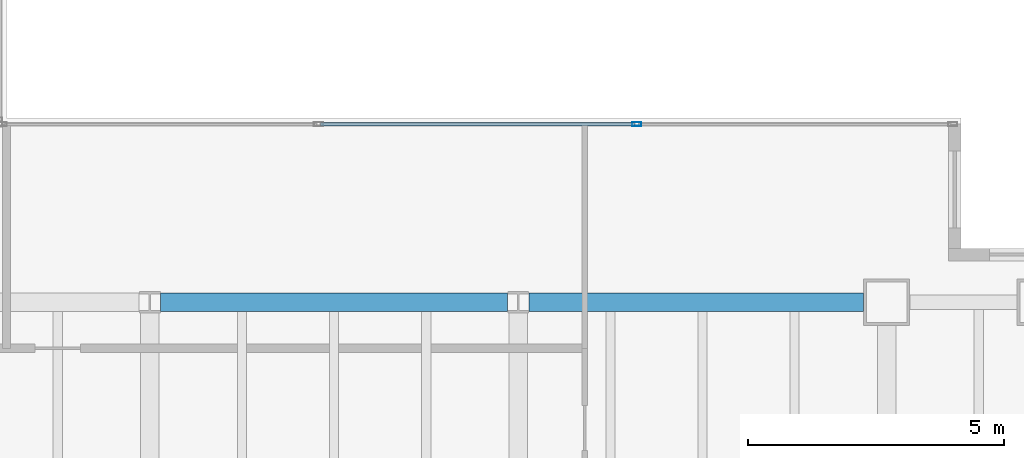
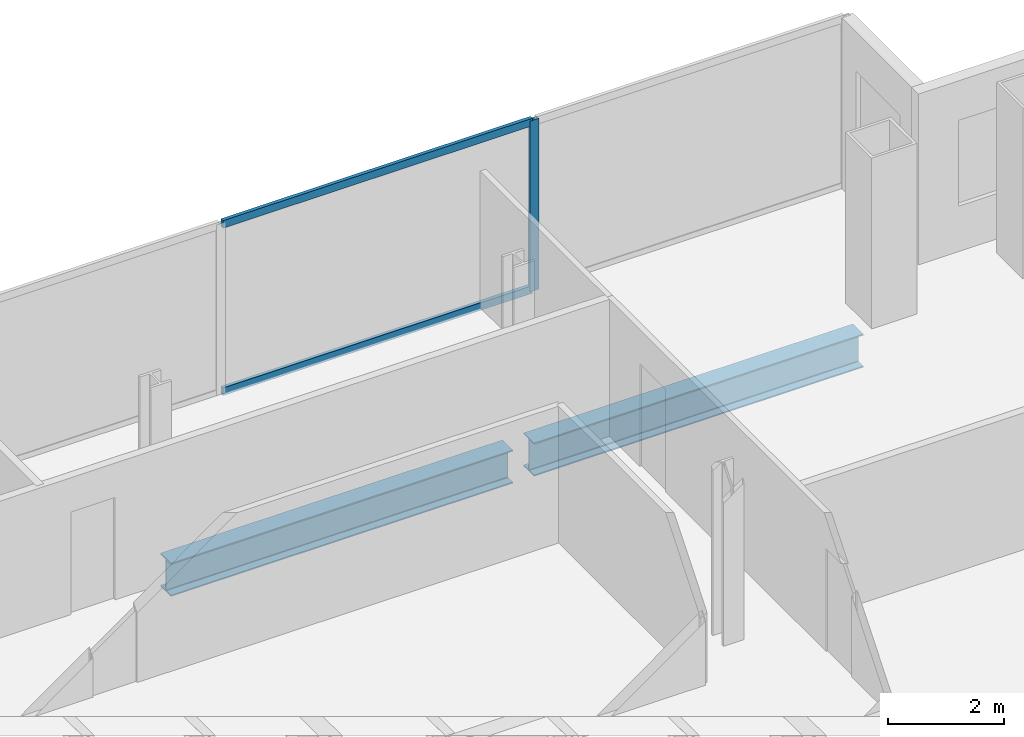
# One storey, part 14 of 24: 3 members, 2 beams, 1 element without a shape of its own.
"""IFC4 building model written with IfcOpenShell, lengths in metres."""

from ifc_helpers import new_model, si_unit, direction, frame, origin, origin_2d, place, context, subcontext, project, spatial, hollow_rectangle, i_section, extrude, material, material_profile, profile_set, type_object, element, aggregate, save


model = new_model("IFC4")

# Units and contexts
model_context = context("Model", 3, precision=1e-05, world=origin(), true_north=direction((0.0, 1.0)))
body_context = subcontext(model_context, "Body", "Model", "MODEL_VIEW")
ifc_project = project(units=[si_unit("LENGTHUNIT", "METRE"), si_unit("AREAUNIT", "SQUARE_METRE"), si_unit("VOLUMEUNIT", "CUBIC_METRE"), si_unit("PLANEANGLEUNIT", "RADIAN"), si_unit("MASSUNIT", "GRAM", prefix="KILO")], contexts=[model_context])

# Site, building, storey
site_placement = place(None, origin())
site = spatial("IfcSite", under=ifc_project, at=site_placement, CompositionType="ELEMENT")
building_placement = place(site_placement, origin())
building = spatial("IfcBuilding", under=site, at=building_placement, Name="Cobrela Telecom Tower", CompositionType="ELEMENT")
storey_placement = place(building_placement, frame((0.0, 0.0, 136.85009765625)))
storey = spatial("IfcBuildingStorey", under=building, at=storey_placement, Name="L34", CompositionType="ELEMENT", Elevation=136.85009765625)

# Beams
ifc_material_1 = material(Name="Steel ASTM A992 Grade 50", Category="steel")
ifc_material_profile_1 = material_profile(ifc_material_1, i_section(OverallWidth=0.35595703125, OverallDepth=0.696044921875, WebThickness=0.015380859375, FlangeThickness=0.024658203125, FilletRadius=0.01806640625, at=origin_2d()), Name="W27X146")
ifc_profile_set_1 = profile_set([ifc_material_profile_1], Name="Steel ASTM A992 Grade 50")
beam_type = type_object("IfcBeamType", Name="BM-GIRD-05", PredefinedType="USERDEFINED", material=ifc_profile_set_1)
beam_1_placement = place(storey_placement, frame((29.009521484375, 21.60009765625, -0.6181640625), z_axis=(1.0, 0.0, 0.0), x_axis=(0.0, 1.0, 0.0)))
element("IfcBeam", 1, at=beam_1_placement, inside=storey, type_object=beam_type, Name="L34 Primary Girder X20", ObjectType="GIRDER", PredefinedType="USERDEFINED", context=body_context, shape_type="SweptSolid", body=[
    extrude(i_section(OverallWidth=0.35595703125, OverallDepth=0.696044921875, WebThickness=0.015380859375, FlangeThickness=0.024658203125, FilletRadius=0.01806640625, at=origin_2d()), origin(), (0.0, 0.0, 1.0), 6.781005859375),
])
beam_2_placement = place(storey_placement, frame((36.20947265625, 21.60009765625, -0.6181640625), z_axis=(1.0, 0.0, 0.0), x_axis=(0.0, 1.0, 0.0)))
element("IfcBeam", 2, at=beam_2_placement, inside=storey, type_object=beam_type, Name="L34 Primary Girder X21", ObjectType="GIRDER", PredefinedType="USERDEFINED", context=body_context, shape_type="SweptSolid", body=[
    extrude(i_section(OverallWidth=0.35595703125, OverallDepth=0.696044921875, WebThickness=0.015380859375, FlangeThickness=0.024658203125, FilletRadius=0.01806640625, at=origin_2d()), origin(), (0.0, 0.0, 1.0), 6.53564453125),
])

# Curtain wall, members
ifc_material_2 = material(Name="Anodized Bronze Aluminium 6063-T6", Category="aluminium")
curtain_wall_type = type_object("IfcCurtainWallType", Name="CW-SYS-TEL", PredefinedType="USERDEFINED", material=ifc_material_2)
curtain_wall_placement = place(storey_placement, origin())
curtain_wall = element("IfcCurtainWall", 3, at=curtain_wall_placement, inside=storey, type_object=curtain_wall_type, Name="L34 Unitised Bronze Curtain Wall 11", ObjectType="UNITISED CURTAIN WALL", PredefinedType="USERDEFINED")
ifc_material_profile_2 = material_profile(ifc_material_2, hollow_rectangle(XDim=0.074951171875, YDim=0.179931640625, WallThickness=0.00390625, at=origin_2d()), Name="ALU 75x180x4")
ifc_profile_set_2 = profile_set([ifc_material_profile_2], Name="Anodized Bronze Aluminium 6063-T6")
member_type_1 = type_object("IfcMemberType", Name="CW-SYS-TEL-MUL", PredefinedType="MULLION", material=ifc_profile_set_2)
member_1_placement = place(storey_placement, frame((38.313232421875, 25.080078125, 0.0), z_axis=(0.0, 0.0, 1.0), x_axis=(0.0, 1.0, 0.0)))
member_1 = element("IfcMember", 4, at=member_1_placement, type_object=member_type_1, Name="CW-TEL mullion 3", PredefinedType="MULLION", context=body_context, shape_type="SweptSolid", body=[
    extrude(hollow_rectangle(XDim=0.074951171875, YDim=0.179931640625, WallThickness=0.00390625, at=origin_2d()), origin(), (0.0, 0.0, 1.0), 3.579833984375),
])
ifc_material_profile_3 = material_profile(ifc_material_2, hollow_rectangle(XDim=0.070068359375, YDim=0.159912109375, WallThickness=0.00390625, at=origin_2d()), Name="ALU 70x160x4")
ifc_profile_set_3 = profile_set([ifc_material_profile_3], Name="Anodized Bronze Aluminium 6063-T6")
member_type_2 = type_object("IfcMemberType", Name="CW-SYS-TEL-TRN", PredefinedType="USERDEFINED", material=ifc_profile_set_3)
member_2_placement = place(storey_placement, frame((32.13427734375, 25.080078125, 0.034912109375), z_axis=(1.0, 0.0, 0.0), x_axis=(0.0, 1.0, 0.0)))
member_2 = element("IfcMember", 5, at=member_2_placement, type_object=member_type_2, Name="CW-TEL transom 2.1", ObjectType="TRANSOM", PredefinedType="USERDEFINED", context=body_context, shape_type="SweptSolid", body=[
    extrude(hollow_rectangle(XDim=0.070068359375, YDim=0.159912109375, WallThickness=0.00390625, at=origin_2d()), origin(), (0.0, 0.0, 1.0), 6.1416015625),
])
member_3_placement = place(storey_placement, frame((32.13427734375, 25.080078125, 3.544921875), z_axis=(1.0, 0.0, 0.0), x_axis=(0.0, 1.0, 0.0)))
member_3 = element("IfcMember", 6, at=member_3_placement, type_object=member_type_2, Name="CW-TEL transom 2.2", ObjectType="TRANSOM", PredefinedType="USERDEFINED", context=body_context, shape_type="SweptSolid", body=[
    extrude(hollow_rectangle(XDim=0.070068359375, YDim=0.159912109375, WallThickness=0.00390625, at=origin_2d()), origin(), (0.0, 0.0, 1.0), 6.1416015625),
])
aggregate(curtain_wall, [member_1, member_2, member_3])

save(model, "model.ifc")
